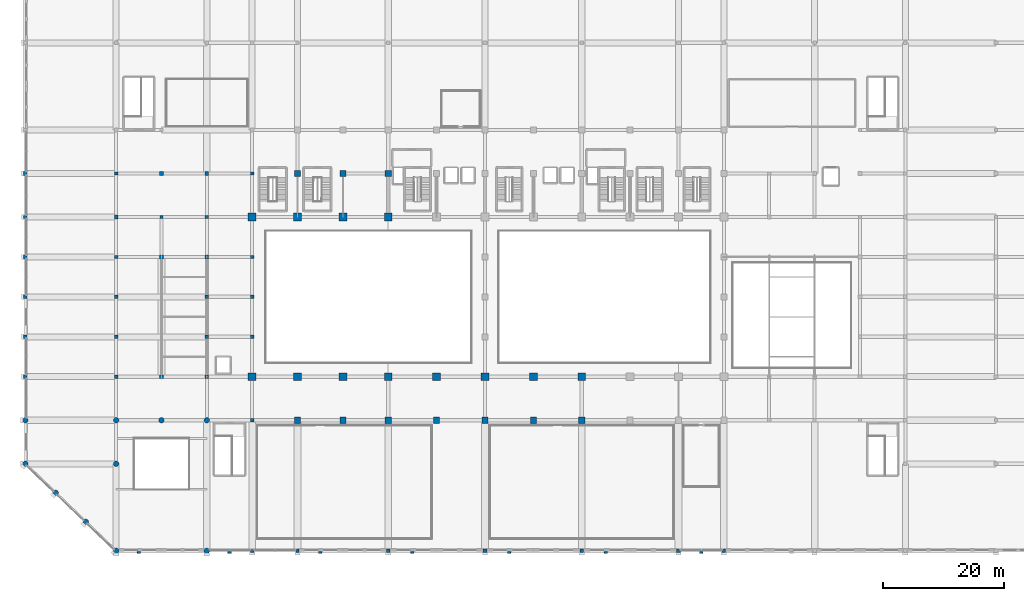
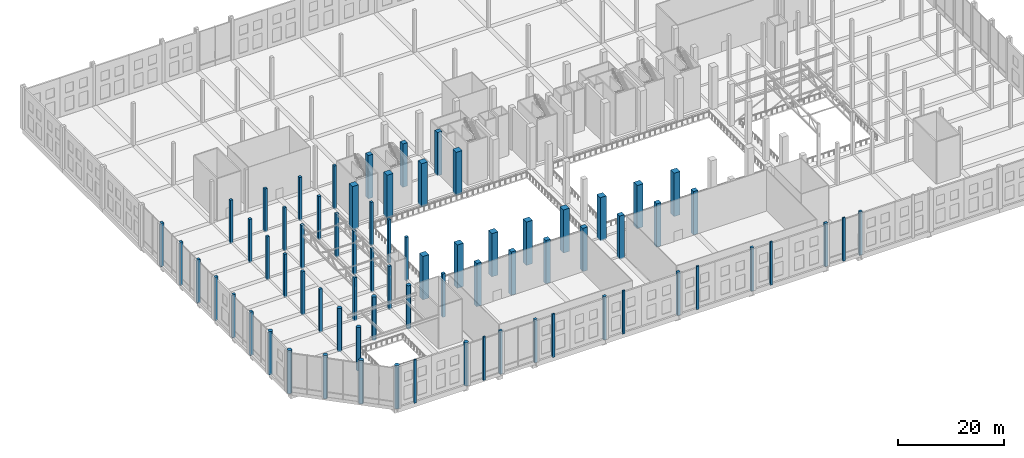
# One storey, part 1 of 80: 73 columns.
"""IFC4 building model written with IfcOpenShell, lengths in metres."""

from ifc_helpers import new_model, si_unit, direction, frame, origin, origin_2d, place, context, subcontext, project, spatial, rectangle, circle, extrude, material, material_profile, profile_set, type_object, element, save


model = new_model("IFC4")

# Units and contexts
model_context = context("Model", 3, precision=1e-05, world=origin(), true_north=direction((0.0, 1.0)))
body_context = subcontext(model_context, "Body", "Model", "MODEL_VIEW")
ifc_project = project(units=[si_unit("LENGTHUNIT", "METRE"), si_unit("AREAUNIT", "SQUARE_METRE"), si_unit("VOLUMEUNIT", "CUBIC_METRE"), si_unit("PLANEANGLEUNIT", "RADIAN"), si_unit("MASSUNIT", "GRAM", prefix="KILO")], contexts=[model_context])

# Site, building, storey
site_placement = place(None, origin())
site = spatial("IfcSite", under=ifc_project, at=site_placement, CompositionType="ELEMENT")
building_placement = place(site_placement, origin())
building = spatial("IfcBuilding", under=site, at=building_placement, Name="Akrevak Sports Hall", CompositionType="ELEMENT")
storey_placement = place(building_placement, frame((0.0, 0.0, 14.0)))
storey = spatial("IfcBuildingStorey", under=building, at=storey_placement, Name="L03", CompositionType="ELEMENT", Elevation=14.0)

# Columns
ifc_material_1 = material(Name="Concrete C40/50", Category="concrete")
ifc_material_profile_1 = material_profile(ifc_material_1, circle(Radius=0.449951171875, at=origin_2d()), Name="COL D900", Category="concrete")
ifc_profile_set_1 = profile_set([ifc_material_profile_1], Name="Concrete C40/50")
column_type_1 = type_object("IfcColumnType", Name="STR-COL-D900", PredefinedType="COLUMN", material=ifc_profile_set_1)
for number, where, z_axis, x_axis, name in (
    (1, (0.0, 14.39990234375, -0.280029296875), (0.0, 0.0, 1.0), (1.0, 0.0, 0.0), "Column 1/C (L03)"),
    (2, (0.0, 21.60009765625, -0.280029296875), (0.0, 0.0, 1.0), (1.0, 0.0, 0.0), "Column 1/D (L03)"),
    (3, (15.0, 0.0, -0.280029296875), (0.0, 0.0, 1.0), (1.0, 0.0, 0.0), "Column 3/A (L03)"),
    (4, (15.0, 14.39990234375, -0.280029296875), (0.0, 0.0, 1.0), (1.0, 0.0, 0.0), "Column 3/C (L03)"),
    (5, (15.0, 21.60009765625, -0.280029296875), (0.0, 0.0, 1.0), (1.0, 0.0, 0.0), "Column 3/D (L03)"),
    (6, (22.5, 21.60009765625, -0.280029296875), (0.0, 0.0, 1.0), (1.0, 0.0, 0.0), "Column 4/D (L03)"),
    (7, (30.0, 0.0, -0.280029296875), (0.0, 0.0, 1.0), (1.0, 0.0, 0.0), "Column 5/A (L03)"),
    (8, (30.0, 21.60009765625, -0.280029296875), (0.0, 0.0, 1.0), (1.0, 0.0, 0.0), "Column 5/D (L03)"),
    (9, (10.0, 4.800048828125, -0.280029296875), (0.0, 0.0, 1.0), (1.0, 0.0, 0.0), "Beaux-Arts Chamfer Colonnade Column CH1 (L03)"),
    (10, (5.0, 9.60009765625, -0.280029296875), (0.0, 0.0, 1.0), (1.0, 0.0, 0.0), "Beaux-Arts Chamfer Colonnade Column CH2 (L03)"),
):
    element("IfcColumn", number, at=place(storey_placement, frame(where, z_axis=z_axis, x_axis=x_axis)), inside=storey, type_object=column_type_1, Name=name, PredefinedType="COLUMN", context=body_context, shape_type="SweptSolid", body=[
        extrude(circle(Radius=0.449951171875, at=origin_2d()), origin(), (0.0, 0.0, 1.0), 9.929931640625),
    ])
ifc_material_2 = material(Name="Concrete C50/60", Category="concrete")
ifc_material_profile_2 = material_profile(ifc_material_2, rectangle(XDim=1.0, YDim=1.0, at=origin_2d()), Name="RC 1000x1000", Category="concrete")
ifc_profile_set_2 = profile_set([ifc_material_profile_2], Name="Concrete C50/60")
column_type_2 = type_object("IfcColumnType", Name="STR-COL-RC1000", PredefinedType="COLUMN", material=ifc_profile_set_2)
for number, where, z_axis, x_axis, name in (
    (11, (45.0, 21.60009765625, -0.280029296875), (0.0, 0.0, 1.0), (1.0, 0.0, 0.0), "Column 7/D (L03)"),
    (12, (45.0, 62.39990234375, -0.280029296875), (0.0, 0.0, 1.0), (1.0, 0.0, 0.0), "Column 7/J (L03)"),
    (13, (52.5, 21.60009765625, -0.280029296875), (0.0, 0.0, 1.0), (1.0, 0.0, 0.0), "Column 8/D (L03)"),
    (14, (52.5, 62.39990234375, -0.280029296875), (0.0, 0.0, 1.0), (1.0, 0.0, 0.0), "Column 8/J (L03)"),
    (15, (60.0, 21.60009765625, -0.280029296875), (0.0, 0.0, 1.0), (1.0, 0.0, 0.0), "Column 9/D (L03)"),
    (16, (60.0, 62.39990234375, -0.280029296875), (0.0, 0.0, 1.0), (1.0, 0.0, 0.0), "Column 9/J (L03)"),
    (17, (68.0, 21.60009765625, -0.280029296875), (0.0, 0.0, 1.0), (1.0, 0.0, 0.0), "Column 10/D (L03)"),
    (18, (76.0, 21.60009765625, -0.280029296875), (0.0, 0.0, 1.0), (1.0, 0.0, 0.0), "Column 11/D (L03)"),
    (19, (84.0, 21.60009765625, -0.280029296875), (0.0, 0.0, 1.0), (1.0, 0.0, 0.0), "Column 12/D (L03)"),
    (20, (92.0, 21.60009765625, -0.280029296875), (0.0, 0.0, 1.0), (1.0, 0.0, 0.0), "Column 13/D (L03)"),
):
    element("IfcColumn", number, at=place(storey_placement, frame(where, z_axis=z_axis, x_axis=x_axis)), inside=storey, type_object=column_type_2, Name=name, PredefinedType="COLUMN", context=body_context, shape_type="SweptSolid", body=[
        extrude(rectangle(XDim=1.0, YDim=1.0, at=origin_2d()), origin(), (0.0, 0.0, 1.0), 9.929931640625),
    ])
ifc_material_profile_3 = material_profile(ifc_material_2, rectangle(XDim=1.300048828125, YDim=1.300048828125, at=origin_2d()), Name="RC 1300x1300", Category="concrete")
ifc_profile_set_3 = profile_set([ifc_material_profile_3], Name="Concrete C50/60")
column_type_3 = type_object("IfcColumnType", Name="STR-COL-RC1300", PredefinedType="COLUMN", material=ifc_profile_set_3)
for number, where, z_axis, x_axis, name in (
    (21, (37.5, 28.800048828125, -0.280029296875), (0.0, 0.0, 1.0), (1.0, 0.0, 0.0), "Column 6/E (L03)"),
    (22, (37.5, 55.199951171875, -0.280029296875), (0.0, 0.0, 1.0), (1.0, 0.0, 0.0), "Column 6/I (L03)"),
    (23, (45.0, 28.800048828125, -0.280029296875), (0.0, 0.0, 1.0), (1.0, 0.0, 0.0), "Column 7/E (L03)"),
    (24, (45.0, 55.199951171875, -0.280029296875), (0.0, 0.0, 1.0), (1.0, 0.0, 0.0), "Column 7/I (L03)"),
    (25, (52.5, 28.800048828125, -0.280029296875), (0.0, 0.0, 1.0), (1.0, 0.0, 0.0), "Column 8/E (L03)"),
    (26, (52.5, 55.199951171875, -0.280029296875), (0.0, 0.0, 1.0), (1.0, 0.0, 0.0), "Column 8/I (L03)"),
    (27, (60.0, 28.800048828125, -0.280029296875), (0.0, 0.0, 1.0), (1.0, 0.0, 0.0), "Column 9/E (L03)"),
    (28, (60.0, 55.199951171875, -0.280029296875), (0.0, 0.0, 1.0), (1.0, 0.0, 0.0), "Column 9/I (L03)"),
    (29, (68.0, 28.800048828125, -0.280029296875), (0.0, 0.0, 1.0), (1.0, 0.0, 0.0), "Column 10/E (L03)"),
    (30, (76.0, 28.800048828125, -0.280029296875), (0.0, 0.0, 1.0), (1.0, 0.0, 0.0), "Column 11/E (L03)"),
    (31, (84.0, 28.800048828125, -0.280029296875), (0.0, 0.0, 1.0), (1.0, 0.0, 0.0), "Column 12/E (L03)"),
    (32, (92.0, 28.800048828125, -0.280029296875), (0.0, 0.0, 1.0), (1.0, 0.0, 0.0), "Column 13/E (L03)"),
):
    element("IfcColumn", number, at=place(storey_placement, frame(where, z_axis=z_axis, x_axis=x_axis)), inside=storey, type_object=column_type_3, Name=name, PredefinedType="COLUMN", context=body_context, shape_type="SweptSolid", body=[
        extrude(rectangle(XDim=1.300048828125, YDim=1.300048828125, at=origin_2d()), origin(), (0.0, 0.0, 1.0), 9.929931640625),
    ])
ifc_material_profile_4 = material_profile(ifc_material_1, rectangle(XDim=0.550048828125, YDim=0.550048828125, at=origin_2d()), Name="RC 550x550", Category="concrete")
ifc_profile_set_4 = profile_set([ifc_material_profile_4], Name="Concrete C40/50")
column_type_4 = type_object("IfcColumnType", Name="STR-COL-RC550", PredefinedType="COLUMN", material=ifc_profile_set_4)
for number, where, z_axis, x_axis, name in (
    (33, (0.0, 35.39990234375, -0.280029296875), (0.0, 0.0, 1.0), (1.0, 0.0, 0.0), "Column 1/F (L03)"),
    (34, (0.0, 55.199951171875, -0.280029296875), (0.0, 0.0, 1.0), (1.0, 0.0, 0.0), "Column 1/I (L03)"),
    (35, (15.0, 28.800048828125, -0.280029296875), (0.0, 0.0, 1.0), (1.0, 0.0, 0.0), "Column 3/E (L03)"),
    (36, (15.0, 42.0, -0.280029296875), (0.0, 0.0, 1.0), (1.0, 0.0, 0.0), "Column 3/G (L03)"),
    (37, (15.0, 48.60009765625, -0.280029296875), (0.0, 0.0, 1.0), (1.0, 0.0, 0.0), "Column 3/H (L03)"),
    (38, (15.0, 62.39990234375, -0.280029296875), (0.0, 0.0, 1.0), (1.0, 0.0, 0.0), "Column 3/J (L03)"),
    (39, (22.5, 55.199951171875, -0.280029296875), (0.0, 0.0, 1.0), (1.0, 0.0, 0.0), "Column 4/I (L03)"),
    (40, (30.0, 35.39990234375, -0.280029296875), (0.0, 0.0, 1.0), (1.0, 0.0, 0.0), "Column 5/F (L03)"),
    (41, (30.0, 55.199951171875, -0.280029296875), (0.0, 0.0, 1.0), (1.0, 0.0, 0.0), "Column 5/I (L03)"),
    (42, (37.5, 0.0, -0.280029296875), (0.0, 0.0, 1.0), (1.0, 0.0, 0.0), "Column 6/A (L03)"),
    (43, (37.5, 42.0, -0.280029296875), (0.0, 0.0, 1.0), (1.0, 0.0, 0.0), "Column 6/G (L03)"),
    (44, (37.5, 48.60009765625, -0.280029296875), (0.0, 0.0, 1.0), (1.0, 0.0, 0.0), "Column 6/H (L03)"),
    (45, (37.5, 62.39990234375, -0.280029296875), (0.0, 0.0, 1.0), (1.0, 0.0, 0.0), "Column 6/J (L03)"),
    (46, (45.0, 0.0, -0.280029296875), (0.0, 0.0, 1.0), (1.0, 0.0, 0.0), "Column 7/A (L03)"),
    (47, (115.5, 0.0, -0.280029296875), (0.0, 0.0, 1.0), (1.0, 0.0, 0.0), "Column 16/A (L03)"),
):
    element("IfcColumn", number, at=place(storey_placement, frame(where, z_axis=z_axis, x_axis=x_axis)), inside=storey, type_object=column_type_4, Name=name, PredefinedType="COLUMN", context=body_context, shape_type="SweptSolid", body=[
        extrude(rectangle(XDim=0.550048828125, YDim=0.550048828125, at=origin_2d()), origin(), (0.0, 0.0, 1.0), 9.929931640625),
    ])
ifc_material_profile_5 = material_profile(ifc_material_1, rectangle(XDim=0.60009765625, YDim=0.60009765625, at=origin_2d()), Name="RC 600x600", Category="concrete")
ifc_profile_set_5 = profile_set([ifc_material_profile_5], Name="Concrete C40/50")
column_type_5 = type_object("IfcColumnType", Name="STR-COL-RC600", PredefinedType="COLUMN", material=ifc_profile_set_5)
for number, where, z_axis, x_axis, name in (
    (48, (0.0, 28.800048828125, -0.280029296875), (0.0, 0.0, 1.0), (1.0, 0.0, 0.0), "Column 1/E (L03)"),
    (49, (0.0, 42.0, -0.280029296875), (0.0, 0.0, 1.0), (1.0, 0.0, 0.0), "Column 1/G (L03)"),
    (50, (0.0, 48.60009765625, -0.280029296875), (0.0, 0.0, 1.0), (1.0, 0.0, 0.0), "Column 1/H (L03)"),
    (51, (0.0, 62.39990234375, -0.280029296875), (0.0, 0.0, 1.0), (1.0, 0.0, 0.0), "Column 1/J (L03)"),
    (52, (15.0, 35.39990234375, -0.280029296875), (0.0, 0.0, 1.0), (1.0, 0.0, 0.0), "Column 3/F (L03)"),
    (53, (15.0, 55.199951171875, -0.280029296875), (0.0, 0.0, 1.0), (1.0, 0.0, 0.0), "Column 3/I (L03)"),
    (54, (22.5, 28.800048828125, -0.280029296875), (0.0, 0.0, 1.0), (1.0, 0.0, 0.0), "Column 4/E (L03)"),
    (55, (22.5, 48.60009765625, -0.280029296875), (0.0, 0.0, 1.0), (1.0, 0.0, 0.0), "Column 4/H (L03)"),
    (56, (22.5, 62.39990234375, -0.280029296875), (0.0, 0.0, 1.0), (1.0, 0.0, 0.0), "Column 4/J (L03)"),
    (57, (30.0, 28.800048828125, -0.280029296875), (0.0, 0.0, 1.0), (1.0, 0.0, 0.0), "Column 5/E (L03)"),
    (58, (30.0, 42.0, -0.280029296875), (0.0, 0.0, 1.0), (1.0, 0.0, 0.0), "Column 5/G (L03)"),
    (59, (30.0, 48.60009765625, -0.280029296875), (0.0, 0.0, 1.0), (1.0, 0.0, 0.0), "Column 5/H (L03)"),
    (60, (30.0, 62.39990234375, -0.280029296875), (0.0, 0.0, 1.0), (1.0, 0.0, 0.0), "Column 5/J (L03)"),
    (61, (37.5, 21.60009765625, -0.280029296875), (0.0, 0.0, 1.0), (1.0, 0.0, 0.0), "Column 6/D (L03)"),
    (62, (37.5, 35.39990234375, -0.280029296875), (0.0, 0.0, 1.0), (1.0, 0.0, 0.0), "Column 6/F (L03)"),
    (63, (60.0, 0.0, -0.280029296875), (0.0, 0.0, 1.0), (1.0, 0.0, 0.0), "Column 9/A (L03)"),
    (64, (76.0, 0.0, -0.280029296875), (0.0, 0.0, 1.0), (1.0, 0.0, 0.0), "Column 11/A (L03)"),
    (65, (92.0, 0.0, -0.280029296875), (0.0, 0.0, 1.0), (1.0, 0.0, 0.0), "Column 13/A (L03)"),
    (66, (108.0, 0.0, -0.280029296875), (0.0, 0.0, 1.0), (1.0, 0.0, 0.0), "Column 15/A (L03)"),
):
    element("IfcColumn", number, at=place(storey_placement, frame(where, z_axis=z_axis, x_axis=x_axis)), inside=storey, type_object=column_type_5, Name=name, PredefinedType="COLUMN", context=body_context, shape_type="SweptSolid", body=[
        extrude(rectangle(XDim=0.60009765625, YDim=0.60009765625, at=origin_2d()), origin(), (0.0, 0.0, 1.0), 9.929931640625),
    ])
ifc_material_profile_6 = material_profile(ifc_material_1, rectangle(XDim=0.5, YDim=0.300048828125, at=origin_2d()), Name="PIL 500x300", Category="concrete")
ifc_profile_set_6 = profile_set([ifc_material_profile_6], Name="Concrete C40/50")
column_type_6 = type_object("IfcColumnType", Name="STR-PIL-500x300", PredefinedType="PILASTER", material=ifc_profile_set_6)
for number, where, z_axis, x_axis, name in (
    (67, (18.75, -0.260009765625, -0.280029296875), (0.0, 0.0, 1.0), (1.0, 0.0, 0.0), "Beaux-Arts Pilaster S01 (L03)"),
    (68, (33.75, -0.260009765625, -0.280029296875), (0.0, 0.0, 1.0), (1.0, 0.0, 0.0), "Beaux-Arts Pilaster S02 (L03)"),
    (69, (48.75, -0.260009765625, -0.280029296875), (0.0, 0.0, 1.0), (1.0, 0.0, 0.0), "Beaux-Arts Pilaster S03 (L03)"),
    (70, (64.0, -0.260009765625, -0.280029296875), (0.0, 0.0, 1.0), (1.0, 0.0, 0.0), "Beaux-Arts Pilaster S04 (L03)"),
    (71, (80.0, -0.260009765625, -0.280029296875), (0.0, 0.0, 1.0), (1.0, 0.0, 0.0), "Beaux-Arts Pilaster S05 (L03)"),
    (72, (96.0, -0.260009765625, -0.280029296875), (0.0, 0.0, 1.0), (1.0, 0.0, 0.0), "Beaux-Arts Pilaster S06 (L03)"),
    (73, (111.75, -0.260009765625, -0.280029296875), (0.0, 0.0, 1.0), (1.0, 0.0, 0.0), "Beaux-Arts Pilaster S07 (L03)"),
):
    element("IfcColumn", number, at=place(storey_placement, frame(where, z_axis=z_axis, x_axis=x_axis)), inside=storey, type_object=column_type_6, Name=name, PredefinedType="PILASTER", context=body_context, shape_type="SweptSolid", body=[
        extrude(rectangle(XDim=0.5, YDim=0.300048828125, at=origin_2d()), origin(), (0.0, 0.0, 1.0), 9.929931640625),
    ])

save(model, "model.ifc")
